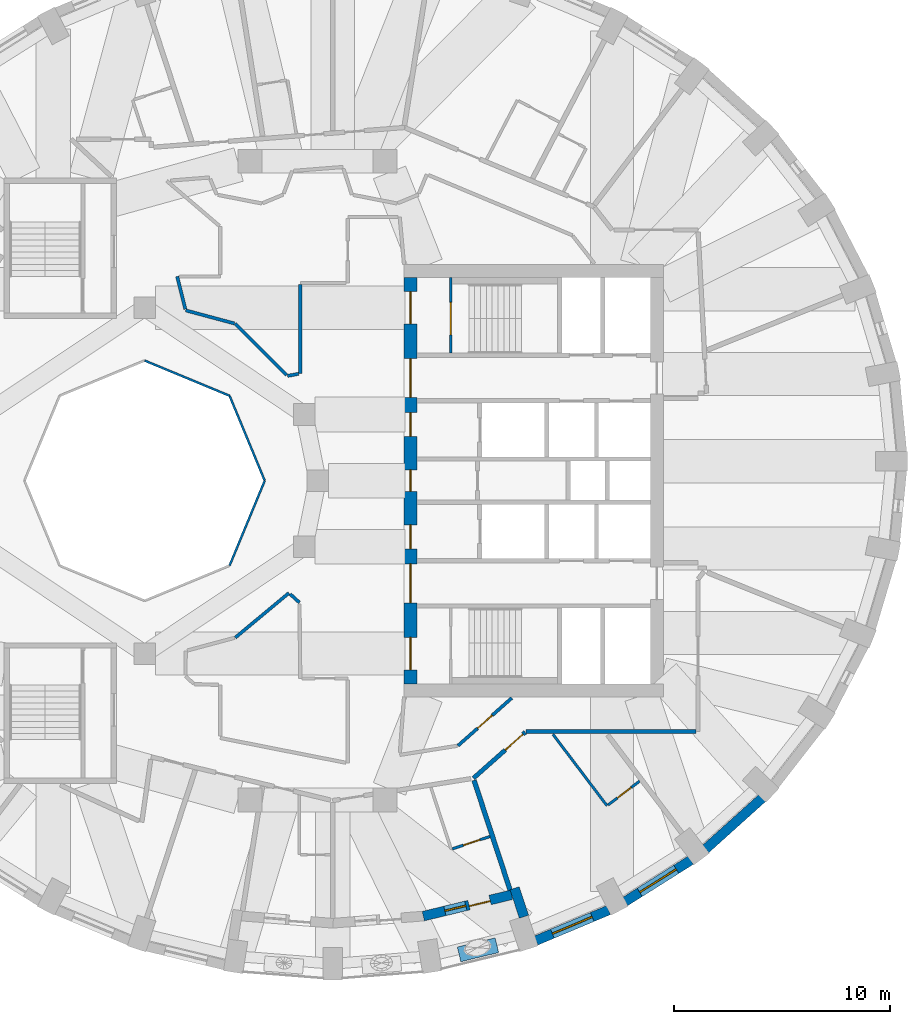
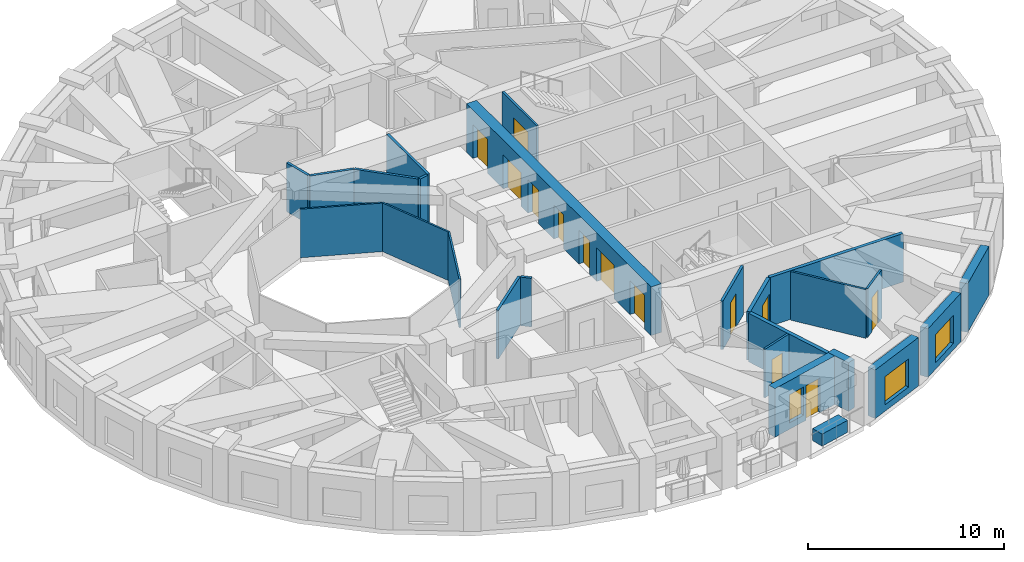
# One storey, part 5 of 12: 25 walls, 13 doors, 3 windows, 16 openings.
"""IFC4 building model written with IfcOpenShell, lengths in metres."""

import ifcopenshell
import ifcopenshell.guid

model = None  # the IFC model being written
_history = None  # IfcOwnerHistory: only IFC2X3 demands one
_inside = {}  # id of a spatial element -> (the spatial element, [elements in it])
_under = {}  # id of a project, library or spatial element -> (it, [spatial elements below it])
_declared = {}  # id of a project -> (the project, [libraries it declares])
_typed = {}  # id of a type object -> (the type object, [elements of that type])
_made_of = {}  # id of a material, layer set ... -> (it, [elements and type objects made of it])


def new_model(schema):
    """Start an empty IFC model of exactly this schema.

    Asked for "IFC4X3", IfcOpenShell would pick the latest addendum, in which some entities
    have other attributes; the version numbers below select the first issue.
    IFC2X3 requires an IfcOwnerHistory on every rooted entity: one is made here for all.
    """
    global model, _history
    if schema == "IFC4X3":
        model = ifcopenshell.file(schema_version=(4, 3, 0, 0))
    else:
        model = ifcopenshell.file(schema=schema)
    _inside.clear()
    _under.clear()
    _declared.clear()
    _typed.clear()
    _made_of.clear()
    _history = None
    if model.schema == "IFC2X3":
        org = make("IfcOrganization", Name="unknown")
        user = make(
            "IfcPersonAndOrganization",
            ThePerson=make("IfcPerson", FamilyName="unknown"),
            TheOrganization=org,
        )
        app = make(
            "IfcApplication",
            ApplicationDeveloper=org,
            Version="unknown",
            ApplicationFullName="unknown",
            ApplicationIdentifier="unknown",
        )
        _history = make(
            "IfcOwnerHistory",
            OwningUser=user,
            OwningApplication=app,
            ChangeAction="ADDED",
            CreationDate=0,
        )
    return model


def make(cls, **values):
    """One entity of the class cls with the attributes given. An attribute that is None is left unset."""
    return model.create_entity(
        cls, **{name: value for name, value in values.items() if value is not None}
    )


def rooted(cls, **values):
    """An entity with a GlobalId (a new one), such as an element, a storey or a relation."""
    return make(cls, GlobalId=ifcopenshell.guid.new(), OwnerHistory=_history, **values)


def si_unit(unit_type, name, prefix=None):
    """IfcSIUnit, for example si_unit("LENGTHUNIT", "METRE", prefix="MILLI")."""
    return make("IfcSIUnit", UnitType=unit_type, Prefix=prefix, Name=name)


def assignment(units):
    """IfcUnitAssignment: the units of a project."""
    return None if units is None else make("IfcUnitAssignment", Units=units)


def point(xyz):
    """IfcCartesianPoint."""
    return None if xyz is None else make("IfcCartesianPoint", Coordinates=xyz)


def direction(xyz):
    """IfcDirection."""
    return None if xyz is None else make("IfcDirection", DirectionRatios=xyz)


def frame(location, z_axis=None, x_axis=None):
    """IfcAxis2Placement3D, a coordinate frame: its origin and axes. An axis left out is left unset."""
    return make(
        "IfcAxis2Placement3D",
        Location=point(location),
        Axis=direction(z_axis),
        RefDirection=direction(x_axis),
    )


def frame_2d(location, x_axis=None):
    """IfcAxis2Placement2D, a coordinate frame in the plane: its origin and x axis."""
    return make(
        "IfcAxis2Placement2D", Location=point(location), RefDirection=direction(x_axis)
    )


def origin():
    """The frame at (0, 0, 0) with its axes left unset."""
    return frame((0.0, 0.0, 0.0))


def place(relative_to, where):
    """IfcLocalPlacement: puts the frame where relative to a parent placement (None: the world)."""
    return make(
        "IfcLocalPlacement", PlacementRelTo=relative_to, RelativePlacement=where
    )


def context(
    kind, dimensions, precision=None, world=None, true_north=None, identifier=None
):
    """IfcGeometricRepresentationContext, for example the 3D "Model" context."""
    return make(
        "IfcGeometricRepresentationContext",
        ContextIdentifier=identifier,
        ContextType=kind,
        CoordinateSpaceDimension=dimensions,
        Precision=precision,
        WorldCoordinateSystem=world,
        TrueNorth=true_north,
    )


def subcontext(parent, identifier, kind, view, scale=None):
    """IfcGeometricRepresentationSubContext, for example "Body" below "Model"."""
    return make(
        "IfcGeometricRepresentationSubContext",
        ContextIdentifier=identifier,
        ContextType=kind,
        ParentContext=parent,
        TargetScale=scale,
        TargetView=view,
    )


def project(units=None, contexts=None):
    """IfcProject with its units and contexts."""
    return rooted(
        "IfcProject",
        Name="project",
        RepresentationContexts=contexts,
        UnitsInContext=assignment(units),
    )


def spatial(cls, under=None, at=None, **own):
    """A site, building, storey or space (cls), placed at a placement, below another one or the project."""
    s = rooted(cls, ObjectPlacement=at, **own)
    if under is not None:
        _under.setdefault(under.id(), (under, []))[1].append(s)
    return s


def profile(cls, at=None, kind="AREA", **sizes):
    """A parametric profile (cls). Its sizes go by their IFC names, for example OverallWidth=200.0."""
    return make(cls, ProfileType=kind, Position=at, **sizes)


def rectangle(**sizes):
    """IfcRectangleProfileDef."""
    return profile("IfcRectangleProfileDef", **sizes)


def extrude(swept, where, along, depth):
    """IfcExtrudedAreaSolid: the profile swept, set in the frame where, extruded along a direction by depth."""
    return make(
        "IfcExtrudedAreaSolid",
        SweptArea=swept,
        Position=where,
        ExtrudedDirection=direction(along),
        Depth=depth,
    )


def shape(context_of_items, identifier, shape_type, items):
    """IfcShapeRepresentation: the items that make up one representation, for example the "Body"."""
    return make(
        "IfcShapeRepresentation",
        ContextOfItems=context_of_items,
        RepresentationIdentifier=identifier,
        RepresentationType=shape_type,
        Items=items,
    )


def material(Name=None, Category=None):
    """IfcMaterial."""
    return make("IfcMaterial", Name=Name, Category=Category)


def layer(
    of_material, thickness, ventilated=None, Name=None, Category=None, Priority=None
):
    """IfcMaterialLayer: one layer of a wall or slab, of a material (None: an air gap)."""
    return make(
        "IfcMaterialLayer",
        Material=of_material,
        LayerThickness=thickness,
        IsVentilated=ventilated,
        Name=Name,
        Category=Category,
        Priority=Priority,
    )


def layer_set(layers, Name=None):
    """IfcMaterialLayerSet."""
    return make("IfcMaterialLayerSet", MaterialLayers=layers, LayerSetName=Name)


def constituent(of_material, Name=None, Category=None, fraction=None):
    """IfcMaterialConstituent: one of the materials an element consists of."""
    return make(
        "IfcMaterialConstituent",
        Name=Name,
        Material=of_material,
        Fraction=fraction,
        Category=Category,
    )


def constituent_set(constituents=None, Name=None):
    """IfcMaterialConstituentSet."""
    return make(
        "IfcMaterialConstituentSet", Name=Name, MaterialConstituents=constituents
    )


def made_of(thing, what):
    """Note that an element or type object is made of a material, layer set ...; save() writes the relation."""
    if what is not None:
        _made_of.setdefault(what.id(), (what, []))[1].append(thing)
    return thing


def type_object(cls, material=None, **own):
    """A type object (cls), such as IfcWallType, which elements share."""
    return made_of(rooted(cls, **own), material)


def element(
    cls,
    number,
    at=None,
    inside=None,
    cuts=None,
    type_object=None,
    material=None,
    context=None,
    identifier="Body",
    shape_type=None,
    held_by="IfcProductDefinitionShape",
    body=None,
    shapes=None,
    **own,
):
    """One element of the class cls, such as IfcWall. Its Tag is "e" and its number.

    at: its placement. inside: the storey or other place that contains it. cuts: it is an
    opening in that element (IfcRelVoidsElement). A single representation is given by context,
    identifier, shape_type and body (its items); several are given by shapes. held_by: the class
    of the entity that holds the representations. save() writes the other relations.
    """
    e = rooted(cls, Tag="e%d" % number, ObjectPlacement=at, **own)
    if body is not None:
        shapes = [shape(context, identifier, shape_type, body)]
    if shapes is not None:
        e.Representation = make(held_by, Representations=shapes)
    if inside is not None:
        _inside.setdefault(inside.id(), (inside, []))[1].append(e)
    if cuts is not None:
        rooted(
            "IfcRelVoidsElement", RelatingBuildingElement=cuts, RelatedOpeningElement=e
        )
    if type_object is not None:
        _typed.setdefault(type_object.id(), (type_object, []))[1].append(e)
    return made_of(e, material)


def fill(opening, filler):
    """IfcRelFillsElement: the door or window that sits in an opening."""
    return rooted(
        "IfcRelFillsElement",
        RelatingOpeningElement=opening,
        RelatedBuildingElement=filler,
    )


def aggregate(whole, parts):
    """IfcRelAggregates: a whole, such as a stair, and the parts it consists of."""
    return rooted("IfcRelAggregates", RelatingObject=whole, RelatedObjects=parts)


def save(model, path):
    """Write the relations noted so far, then the file.

    IfcRelAggregates (storeys below a building ...), IfcRelContainedInSpatialStructure (elements
    in a storey), IfcRelDefinesByType, IfcRelAssociatesMaterial and IfcRelDeclares: one each for
    every whole, place, type object, material and project.
    """
    for whole, parts in _under.values():
        aggregate(whole, parts)
    for where, things in _inside.values():
        rooted(
            "IfcRelContainedInSpatialStructure",
            RelatedElements=things,
            RelatingStructure=where,
        )
    for kind, things in _typed.values():
        rooted("IfcRelDefinesByType", RelatedObjects=things, RelatingType=kind)
    for what, things in _made_of.values():
        rooted("IfcRelAssociatesMaterial", RelatedObjects=things, RelatingMaterial=what)
    for by, libraries in _declared.values():
        rooted("IfcRelDeclares", RelatingContext=by, RelatedDefinitions=libraries)
    model.write(path)


model = new_model("IFC4")

# Units and contexts
model_context = context("Model", 3, precision=1e-05, world=origin(), true_north=direction((0.0, 1.0)))
body_context = subcontext(model_context, "Body", "Model", "MODEL_VIEW")
ifc_project = project(units=[si_unit("LENGTHUNIT", "METRE"), si_unit("AREAUNIT", "SQUARE_METRE"), si_unit("VOLUMEUNIT", "CUBIC_METRE"), si_unit("PLANEANGLEUNIT", "RADIAN"), si_unit("MASSUNIT", "GRAM", prefix="KILO")], contexts=[model_context])

# Site, building, storey
site_placement = place(None, origin())
site = spatial("IfcSite", under=ifc_project, at=site_placement, CompositionType="ELEMENT")
building_placement = place(site_placement, origin())
building = spatial("IfcBuilding", under=site, at=building_placement, Name="Taillehof Tower", CompositionType="ELEMENT")
storey_placement = place(building_placement, frame((0.0, 0.0, 205.699951171875)))
storey = spatial("IfcBuildingStorey", under=building, at=storey_placement, Name="L58", CompositionType="ELEMENT", Elevation=205.699951171875)

# Walls
ifc_material_1 = material(Name="Fire-resisting glass in steel frame", Category="steel")
ifc_layer_1 = layer(ifc_material_1, 0.10009765625)
ifc_layer_set_1 = layer_set([ifc_layer_1], Name="Atrium fire-resisting screen EI 60 100")
wall_type_1 = type_object("IfcWallType", Name="Atrium fire-resisting screen EI 60 100", PredefinedType="PARTITIONING", material=ifc_layer_set_1)
for number, where, z_axis, x_axis, name in (
    (1, (-2.44580078125, 0.0, 0.0), (0.0, 0.0, 1.0), (-0.382730523909, -0.923860025149, 0.0), "Atrium screen"),
    (2, (-8.0, 5.55419921875, 0.0), (0.0, 0.0, 1.0), (0.923860025149, -0.382730523909, 0.0), "Atrium screen"),
    (3, (-4.07275390625, 3.92724609375, 0.0), (0.0, 0.0, 1.0), (0.382730523909, -0.923860025149, 0.0), "Atrium screen"),
):
    element("IfcWall", number, at=place(storey_placement, frame(where, z_axis=z_axis, x_axis=x_axis)), inside=storey, type_object=wall_type_1, Name=name, PredefinedType="PARTITIONING", context=body_context, shape_type="SweptSolid", body=[
        extrude(rectangle(XDim=4.2509765625, YDim=0.10009765625, at=frame_2d((2.12548828125, 0.0))), origin(), (0.0, 0.0, 1.0), 3.02001953125),
    ])

# Wall, opening, window
ifc_material_2 = material(Name="Brick masonry", Category="masonry")
ifc_layer_2 = layer(ifc_material_2, 0.449951171875)
ifc_layer_set_2 = layer_set([ifc_layer_2], Name="Brick infill wall 450")
wall_type_2 = type_object("IfcWallType", Name="Brick infill wall 450", PredefinedType="SOLIDWALL", material=ifc_layer_set_2)
wall_1_placement = place(storey_placement, frame((10.1025390625, -21.279052734375, 0.0), z_axis=(0.0, 0.0, 1.0), x_axis=(0.922168222612, 0.386789050006, 0.0)))
wall_1 = element("IfcWall", 4, at=wall_1_placement, inside=storey, type_object=wall_type_2, Name="Brick wall L58 bay 30", PredefinedType="SOLIDWALL", context=body_context, shape_type="SweptSolid", body=[
    extrude(rectangle(XDim=3.65087890625, YDim=0.449951171875, at=frame_2d((1.825439453125, 0.0))), origin(), (0.0, 0.0, 1.0), 3.02001953125),
])
opening_1_placement = place(wall_1_placement, frame((0.825439453125, 0.0, 0.39990234375)))
opening_1 = element("IfcOpeningElement", 5, at=opening_1_placement, cuts=wall_1, Name="Opening W2", PredefinedType="OPENING", context=body_context, shape_type="SweptSolid", body=[
    extrude(rectangle(XDim=2.0, YDim=1.75, at=frame_2d((1.0, 0.875))), frame((0.0, 0.23486328125, 0.0), z_axis=(0.0, -1.0, 0.0), x_axis=(1.0, 0.0, 0.0)), (0.0, 0.0, 1.0), 0.469970703125),
])
ifc_material_3 = material(Name="Aluminium window frame with clear double glazing", Category="aluminium")
window_type_1 = type_object("IfcWindowType", Name="Deep-set window 2000x1750", PartitioningType="SINGLE_PANEL", PredefinedType="WINDOW", material=ifc_material_3)
window_1_placement = place(opening_1_placement, origin())
window_1 = element("IfcWindow", 6, at=window_1_placement, inside=storey, type_object=window_type_1, Name="W2", OverallHeight=1.75, OverallWidth=2.0, PartitioningType="SINGLE_PANEL", PredefinedType="WINDOW", context=body_context, shape_type="SweptSolid", body=[
    extrude(rectangle(XDim=2.0, YDim=1.75, at=frame_2d((1.0, 0.875))), frame((0.0, 0.034912109375, 0.0), z_axis=(0.0, -1.0, 0.0), x_axis=(1.0, 0.0, 0.0)), (0.0, 0.0, 1.0), 0.06005859375),
])
fill(opening_1, window_1)

wall_2_placement = place(storey_placement, frame((14.232421875, -19.469970703125, 0.0), z_axis=(0.0, 0.0, 1.0), x_axis=(0.84614984472, 0.532945063098, 0.0)))
wall_2 = element("IfcWall", 7, at=wall_2_placement, inside=storey, type_object=wall_type_2, Name="Brick wall L58 bay 31", PredefinedType="SOLIDWALL", context=body_context, shape_type="SweptSolid", body=[
    extrude(rectangle(XDim=3.58642578125, YDim=0.449951171875, at=frame_2d((1.793212890625, 0.0))), origin(), (0.0, 0.0, 1.0), 3.02001953125),
])
opening_2_placement = place(wall_2_placement, frame((0.79345703125, 0.0, 0.39990234375)))
opening_2 = element("IfcOpeningElement", 8, at=opening_2_placement, cuts=wall_2, Name="Opening W2", PredefinedType="OPENING", context=body_context, shape_type="SweptSolid", body=[
    extrude(rectangle(XDim=2.0, YDim=1.75, at=frame_2d((1.0, 0.875))), frame((0.0, 0.23486328125, 0.0), z_axis=(0.0, -1.0, 0.0), x_axis=(1.0, 0.0, 0.0)), (0.0, 0.0, 1.0), 0.469970703125),
])
window_2_placement = place(opening_2_placement, origin())
window_2 = element("IfcWindow", 9, at=window_2_placement, inside=storey, type_object=window_type_1, Name="W2", OverallHeight=1.75, OverallWidth=2.0, PartitioningType="SINGLE_PANEL", PredefinedType="WINDOW", context=body_context, shape_type="SweptSolid", body=[
    extrude(rectangle(XDim=2.0, YDim=1.75, at=frame_2d((1.0, 0.875))), frame((0.0, 0.034912109375, 0.0), z_axis=(0.0, -1.0, 0.0), x_axis=(1.0, 0.0, 0.0)), (0.0, 0.0, 1.0), 0.06005859375),
])
fill(opening_2, window_2)

# Walls
wall_3_placement = place(storey_placement, frame((17.953369140625, -17.039794921875, 0.0), z_axis=(0.0, 0.0, 1.0), x_axis=(0.743442727602, 0.668799604348, 0.0)))
element("IfcWall", 10, at=wall_3_placement, inside=storey, type_object=wall_type_2, Name="Brick wall L58 bay 32", PredefinedType="SOLIDWALL", context=body_context, shape_type="SweptSolid", body=[
    extrude(rectangle(XDim=3.5126953125, YDim=0.449951171875, at=frame_2d((1.75634765625, 0.0))), origin(), (0.0, 0.0, 1.0), 3.02001953125),
])
wall_4_placement = place(storey_placement, frame((9.5498046875, -20.1767578125, 0.0), z_axis=(0.0, 0.0, 1.0), x_axis=(-0.31201065878, 0.950078601384, 0.0)))
element("IfcWall", 11, at=wall_4_placement, inside=storey, type_object=wall_type_2, Name="Brick reveal L58 pocket 8", PredefinedType="SOLIDWALL", context=body_context, shape_type="SweptSolid", body=[
    extrude(rectangle(XDim=1.390380859375, YDim=0.449951171875, at=frame_2d((0.6953125, 0.0))), origin(), (0.0, 0.0, 1.0), 3.02001953125),
])

# Wall, openings, door, window
wall_5_placement = place(storey_placement, frame((4.88916015625, -20.146484375, 0.0), z_axis=(0.0, 0.0, 1.0), x_axis=(0.972004107579, 0.234963858602, 0.0)))
wall_5 = element("IfcWall", 12, at=wall_5_placement, inside=storey, type_object=wall_type_2, Name="Brick wall L58 pocket bay 29", PredefinedType="SOLIDWALL", context=body_context, shape_type="SweptSolid", body=[
    extrude(rectangle(XDim=4.20703125, YDim=0.449951171875, at=frame_2d((2.103515625, 0.0))), origin(), (0.0, 0.0, 1.0), 3.02001953125),
])
opening_3_placement = place(wall_5_placement, frame((1.028564453125, 0.0, 0.39990234375)))
opening_3 = element("IfcOpeningElement", 13, at=opening_3_placement, cuts=wall_5, Name="Opening W5", PredefinedType="OPENING", context=body_context, shape_type="SweptSolid", body=[
    extrude(rectangle(XDim=1.0, YDim=1.75, at=frame_2d((0.5, 0.875))), frame((0.0, 0.23486328125, 0.0), z_axis=(0.0, -1.0, 0.0), x_axis=(1.0, 0.0, 0.0)), (0.0, 0.0, 1.0), 0.469970703125),
])
opening_4_placement = place(wall_5_placement, frame((2.1787109375, 0.0, 0.0)))
opening_4 = element("IfcOpeningElement", 14, at=opening_4_placement, cuts=wall_5, Name="Opening D5896", PredefinedType="OPENING", context=body_context, shape_type="SweptSolid", body=[
    extrude(rectangle(XDim=1.0, YDim=2.14990234375, at=frame_2d((0.5, 1.074951171875))), frame((0.0, 0.23486328125, 0.0), z_axis=(0.0, -1.0, 0.0), x_axis=(1.0, 0.0, 0.0)), (0.0, 0.0, 1.0), 0.469970703125),
])
ifc_material_4 = material(Name="Aluminium door frame with clear double glazing", Category="aluminium")
door_type_1 = type_object("IfcDoorType", Name="Balcony door 1000x2150", OperationType="SINGLE_SWING_RIGHT", PredefinedType="DOOR", material=ifc_material_4)
door_1_placement = place(opening_4_placement, frame((1.0, 0.0, 0.0), z_axis=(0.0, 0.0, 1.0), x_axis=(-1.0, 0.0, 0.0)))
door_1 = element("IfcDoor", 15, at=door_1_placement, inside=storey, type_object=door_type_1, Name="Balcony door L58 bay 29", OperationType="SINGLE_SWING_LEFT", OverallHeight=2.14990234375, OverallWidth=1.0, PredefinedType="DOOR", context=body_context, shape_type="SweptSolid", body=[
    extrude(rectangle(XDim=1.0, YDim=2.14990234375, at=frame_2d((0.5, 1.074951171875))), frame((0.0, 0.0751953125, 0.0), z_axis=(0.0, -1.0, 0.0), x_axis=(1.0, 0.0, 0.0)), (0.0, 0.0, 1.0), 0.050048828125),
])
fill(opening_4, door_1)
ifc_material_5 = material(Name="Aluminium window frame with clear double glazing", Category="aluminium")
window_type_2 = type_object("IfcWindowType", Name="Fixed window 1000x1750", PartitioningType="SINGLE_PANEL", PredefinedType="WINDOW", material=ifc_material_5)
window_3_placement = place(opening_3_placement, origin())
window_3 = element("IfcWindow", 16, at=window_3_placement, inside=storey, type_object=window_type_2, Name="W5", OverallHeight=1.75, OverallWidth=1.0, PartitioningType="SINGLE_PANEL", PredefinedType="WINDOW", context=body_context, shape_type="SweptSolid", body=[
    extrude(rectangle(XDim=1.0, YDim=1.75, at=frame_2d((0.5, 0.875))), frame((0.0, 0.034912109375, 0.0), z_axis=(0.0, -1.0, 0.0), x_axis=(1.0, 0.0, 0.0)), (0.0, 0.0, 1.0), 0.06005859375),
])
fill(opening_3, window_3)

# Wall
ifc_material_6 = material(Name="Gypsum board on steel studs, two layers each side", Category="steel")
ifc_layer_3 = layer(ifc_material_6, 0.199951171875)
ifc_layer_set_3 = layer_set([ifc_layer_3], Name="Compartment wall corridor 200")
wall_type_3 = type_object("IfcWallType", Name="Compartment wall corridor 200", PredefinedType="PARTITIONING", material=ifc_layer_set_3)
wall_6_placement = place(storey_placement, frame((17.5, -11.60009765625, 0.0), z_axis=(0.0, 0.0, 1.0), x_axis=(-1.0, 0.0, 0.0)))
element("IfcWall", 17, at=wall_6_placement, inside=storey, type_object=wall_type_3, Name="Compartment wall", PredefinedType="PARTITIONING", context=body_context, shape_type="SweptSolid", body=[
    extrude(rectangle(XDim=7.846923828125, YDim=0.199951171875, at=frame_2d((3.92333984375, 0.0))), origin(), (0.0, 0.0, 1.0), 3.02001953125),
])

# Wall, opening, door
wall_7_placement = place(storey_placement, frame((9.6083984375, -11.6396484375, 0.0), z_axis=(0.0, 0.0, 1.0), x_axis=(-0.748412200225, -0.663233879227, 0.0)))
wall_7 = element("IfcWall", 18, at=wall_7_placement, inside=storey, type_object=wall_type_3, Name="Compartment wall", PredefinedType="PARTITIONING", context=body_context, shape_type="SweptSolid", body=[
    extrude(rectangle(XDim=3.207275390625, YDim=0.199951171875, at=frame_2d((1.603515625, 0.0))), origin(), (0.0, 0.0, 1.0), 3.02001953125),
])
opening_5_placement = place(wall_7_placement, frame((0.139892578125, 0.0, 0.0)))
opening_5 = element("IfcOpeningElement", 19, at=opening_5_placement, cuts=wall_7, Name="Opening D5861", PredefinedType="OPENING", context=body_context, shape_type="SweptSolid", body=[
    extrude(rectangle(XDim=1.10009765625, YDim=2.10009765625, at=frame_2d((0.550048828125, 1.050048828125))), frame((0.0, 0.10986328125, 0.0), z_axis=(0.0, -1.0, 0.0), x_axis=(1.0, 0.0, 0.0)), (0.0, 0.0, 1.0), 0.219970703125),
])
ifc_material_7 = material(Name="Timber door leaf in steel frame", Category="steel")
door_type_2 = type_object("IfcDoorType", Name="Suite entrance door EI 30 1100 x 2100", OperationType="SINGLE_SWING_LEFT", PredefinedType="DOOR", material=ifc_material_7)
door_2_placement = place(opening_5_placement, origin())
door_2 = element("IfcDoor", 20, at=door_2_placement, inside=storey, type_object=door_type_2, Name="D5861", OperationType="SINGLE_SWING_LEFT", OverallHeight=2.10009765625, OverallWidth=1.10009765625, PredefinedType="DOOR", context=body_context, shape_type="SweptSolid", body=[
    extrude(rectangle(XDim=1.10009765625, YDim=2.10009765625, at=frame_2d((0.550048828125, 1.050048828125))), frame((0.0, 0.02490234375, 0.0), z_axis=(0.0, -1.0, 0.0), x_axis=(1.0, 0.0, 0.0)), (0.0, 0.0, 1.0), 0.050048828125),
])
fill(opening_5, door_2)

# Walls
ifc_material_8 = material(Name="Gypsum board on double steel studs with mineral wool", Category="steel")
ifc_layer_4 = layer(ifc_material_8, 0.219970703125)
ifc_layer_set_4 = layer_set([ifc_layer_4], Name="Compartment wall guest room 220")
wall_type_4 = type_object("IfcWallType", Name="Compartment wall guest room 220", PredefinedType="PARTITIONING", material=ifc_layer_set_4)
wall_8_placement = place(storey_placement, frame((8.907958984375, -18.943603515625, 0.0), z_axis=(0.0, 0.0, 1.0), x_axis=(-0.311910788491, 0.950111393481, 0.0)))
element("IfcWall", 21, at=wall_8_placement, inside=storey, type_object=wall_type_4, Name="Compartment wall", PredefinedType="PARTITIONING", context=body_context, shape_type="SweptSolid", body=[
    extrude(rectangle(XDim=5.348388671875, YDim=0.219970703125, at=frame_2d((2.67431640625, 0.0))), origin(), (0.0, 0.0, 1.0), 3.02001953125),
])
ifc_material_9 = material(Name="Gypsum board on steel studs, two layers each side", Category="steel")
ifc_layer_5 = layer(ifc_material_9, 0.14990234375)
ifc_layer_set_5 = layer_set([ifc_layer_5], Name="Compartment wall service room 150")
wall_type_5 = type_object("IfcWallType", Name="Compartment wall service room 150", PredefinedType="PARTITIONING", material=ifc_layer_set_5)
wall_9_placement = place(storey_placement, frame((-0.800048828125, 9.06982421875, 0.0), z_axis=(0.0, 0.0, 1.0), x_axis=(0.0, -1.0, 0.0)))
element("IfcWall", 22, at=wall_9_placement, inside=storey, type_object=wall_type_5, Name="Compartment wall", PredefinedType="PARTITIONING", context=body_context, shape_type="SweptSolid", body=[
    extrude(rectangle(XDim=4.1083984375, YDim=0.14990234375, at=frame_2d((2.05419921875, 0.0))), origin(), (0.0, 0.0, 1.0), 3.02001953125),
])
wall_10_placement = place(storey_placement, frame((-0.878173828125, 4.94580078125, 0.0), z_axis=(0.0, 0.0, 1.0), x_axis=(-0.981223514921, -0.192874087857, 0.0)))
element("IfcWall", 23, at=wall_10_placement, inside=storey, type_object=wall_type_5, Name="Compartment wall", PredefinedType="PARTITIONING", context=body_context, shape_type="SweptSolid", body=[
    extrude(rectangle(XDim=0.521484375, YDim=0.14990234375, at=frame_2d((0.2607421875, 0.0))), origin(), (0.0, 0.0, 1.0), 3.02001953125),
])
wall_11_placement = place(storey_placement, frame((-1.432373046875, 4.8876953125, 0.0), z_axis=(0.0, 0.0, 1.0), x_axis=(-0.70714312975, 0.707070430754, 0.0)))
element("IfcWall", 24, at=wall_11_placement, inside=storey, type_object=wall_type_5, Name="Compartment wall", PredefinedType="PARTITIONING", context=body_context, shape_type="SweptSolid", body=[
    extrude(rectangle(XDim=3.358154296875, YDim=0.14990234375, at=frame_2d((1.67919921875, 0.0))), origin(), (0.0, 0.0, 1.0), 3.02001953125),
])
wall_12_placement = place(storey_placement, frame((-3.845703125, 7.2724609375, 0.0), z_axis=(0.0, 0.0, 1.0), x_axis=(-0.965906023197, 0.258892939941, 0.0)))
element("IfcWall", 25, at=wall_12_placement, inside=storey, type_object=wall_type_5, Name="Compartment wall", PredefinedType="PARTITIONING", context=body_context, shape_type="SweptSolid", body=[
    extrude(rectangle(XDim=2.333984375, YDim=0.14990234375, at=frame_2d((1.1669921875, 0.0))), origin(), (0.0, 0.0, 1.0), 3.02001953125),
])
wall_13_placement = place(storey_placement, frame((-6.11474609375, 7.9345703125, 0.0), z_axis=(0.0, 0.0, 1.0), x_axis=(-0.242425292239, 0.970170076679, 0.0)))
element("IfcWall", 26, at=wall_13_placement, inside=storey, type_object=wall_type_5, Name="Compartment wall", PredefinedType="PARTITIONING", context=body_context, shape_type="SweptSolid", body=[
    extrude(rectangle(XDim=1.56201171875, YDim=0.14990234375, at=frame_2d((0.781005859375, 0.0))), origin(), (0.0, 0.0, 1.0), 3.02001953125),
])
wall_14_placement = place(storey_placement, frame((-3.80712890625, -7.26220703125, 0.0), z_axis=(0.0, 0.0, 1.0), x_axis=(0.768654933145, 0.639663656739, 0.0)))
element("IfcWall", 27, at=wall_14_placement, inside=storey, type_object=wall_type_5, Name="Compartment wall", PredefinedType="PARTITIONING", context=body_context, shape_type="SweptSolid", body=[
    extrude(rectangle(XDim=3.22900390625, YDim=0.14990234375, at=frame_2d((1.614501953125, 0.0))), origin(), (0.0, 0.0, 1.0), 3.02001953125),
])
wall_15_placement = place(storey_placement, frame((-1.265625, -5.25048828125, 0.0), z_axis=(0.0, 0.0, 1.0), x_axis=(0.740704364941, -0.671831112525, 0.0)))
element("IfcWall", 28, at=wall_15_placement, inside=storey, type_object=wall_type_5, Name="Compartment wall", PredefinedType="PARTITIONING", context=body_context, shape_type="SweptSolid", body=[
    extrude(rectangle(XDim=0.577880859375, YDim=0.14990234375, at=frame_2d((0.2890625, 0.0))), origin(), (0.0, 0.0, 1.0), 3.02001953125),
])

# Wall, opening, door
wall_16_placement = place(storey_placement, frame((8.98681640625, -10.052490234375, 0.0), z_axis=(0.0, 0.0, 1.0), x_axis=(-0.74833949077, -0.66331591761, 0.0)))
wall_16 = element("IfcWall", 29, at=wall_16_placement, inside=storey, type_object=wall_type_5, Name="Compartment wall", PredefinedType="PARTITIONING", context=body_context, shape_type="SweptSolid", body=[
    extrude(rectangle(XDim=3.328125, YDim=0.14990234375, at=frame_2d((1.6640625, 0.0))), origin(), (0.0, 0.0, 1.0), 3.02001953125),
])
opening_6_placement = place(wall_16_placement, frame((1.214111328125, 0.0, 0.0)))
opening_6 = element("IfcOpeningElement", 30, at=opening_6_placement, cuts=wall_16, Name="Opening D5868", PredefinedType="OPENING", context=body_context, shape_type="SweptSolid", body=[
    extrude(rectangle(XDim=0.89990234375, YDim=2.10009765625, at=frame_2d((0.449951171875, 1.050048828125))), frame((0.0, 0.0849609375, 0.0), z_axis=(0.0, -1.0, 0.0), x_axis=(1.0, 0.0, 0.0)), (0.0, 0.0, 1.0), 0.169921875),
])
ifc_material_10 = material(Name="Timber door leaf in steel frame", Category="steel")
door_type_3 = type_object("IfcDoorType", Name="Service room door EI 30 900 x 2100", OperationType="SINGLE_SWING_LEFT", PredefinedType="DOOR", material=ifc_material_10)
door_3_placement = place(opening_6_placement, origin())
door_3 = element("IfcDoor", 31, at=door_3_placement, inside=storey, type_object=door_type_3, Name="D5868", OperationType="SINGLE_SWING_LEFT", OverallHeight=2.10009765625, OverallWidth=0.89990234375, PredefinedType="DOOR", context=body_context, shape_type="SweptSolid", body=[
    extrude(rectangle(XDim=0.89990234375, YDim=2.10009765625, at=frame_2d((0.449951171875, 1.050048828125))), frame((0.0, 0.02490234375, 0.0), z_axis=(0.0, -1.0, 0.0), x_axis=(1.0, 0.0, 0.0)), (0.0, 0.0, 1.0), 0.050048828125),
])
fill(opening_6, door_3)

# Wall, openings, doors
ifc_material_11 = material(Name="Concrete C80/95", Category="concrete")
ifc_layer_6 = layer(ifc_material_11, 0.60009765625)
ifc_layer_set_6 = layer_set([ifc_layer_6], Name="Core wall C80/95 600")
wall_type_6 = type_object("IfcWallType", Name="Core wall C80/95 600", PredefinedType="SHEAR", material=ifc_layer_set_6)
wall_17_placement = place(storey_placement, frame((4.300048828125, -9.39990234375, 0.0), z_axis=(0.0, 0.0, 1.0), x_axis=(0.0, 1.0, 0.0)))
wall_17 = element("IfcWall", 32, at=wall_17_placement, inside=storey, type_object=wall_type_6, Name="Core wall CW01", PredefinedType="SHEAR", context=body_context, shape_type="SweptSolid", body=[
    extrude(rectangle(XDim=18.7998046875, YDim=0.60009765625, at=frame_2d((9.39990234375, 0.0))), origin(), (0.0, 0.0, 1.0), 3.02001953125),
])
opening_7_placement = place(wall_17_placement, frame((0.64990234375, 0.0, 0.0)))
opening_7 = element("IfcOpeningElement", 33, at=opening_7_placement, cuts=wall_17, Name="Opening D5801", PredefinedType="OPENING", context=body_context, shape_type="SweptSolid", body=[
    extrude(rectangle(XDim=1.5, YDim=2.10009765625, at=frame_2d((0.75, 1.050048828125))), frame((0.0, 0.31005859375, 0.0), z_axis=(0.0, -1.0, 0.0), x_axis=(1.0, 0.0, 0.0)), (0.0, 0.0, 1.0), 0.6201171875),
])
opening_8_placement = place(wall_17_placement, frame((3.75, 0.0, 0.0)))
opening_8 = element("IfcOpeningElement", 34, at=opening_8_placement, cuts=wall_17, Name="Opening D5802", PredefinedType="OPENING", context=body_context, shape_type="SweptSolid", body=[
    extrude(rectangle(XDim=1.800048828125, YDim=2.10009765625, at=frame_2d((0.89990234375, 1.050048828125))), frame((0.0, 0.31005859375, 0.0), z_axis=(0.0, -1.0, 0.0), x_axis=(1.0, 0.0, 0.0)), (0.0, 0.0, 1.0), 0.6201171875),
])
opening_9_placement = place(wall_17_placement, frame((6.25, 0.0, 0.0)))
opening_9 = element("IfcOpeningElement", 35, at=opening_9_placement, cuts=wall_17, Name="Opening D5803", PredefinedType="OPENING", context=body_context, shape_type="SweptSolid", body=[
    extrude(rectangle(XDim=1.10009765625, YDim=2.10009765625, at=frame_2d((0.550048828125, 1.050048828125))), frame((0.0, 0.31005859375, 0.0), z_axis=(0.0, -1.0, 0.0), x_axis=(1.0, 0.0, 0.0)), (0.0, 0.0, 1.0), 0.6201171875),
])
opening_10_placement = place(wall_17_placement, frame((8.89990234375, 0.0, 0.0)))
opening_10 = element("IfcOpeningElement", 36, at=opening_10_placement, cuts=wall_17, Name="Opening D5804", PredefinedType="OPENING", context=body_context, shape_type="SweptSolid", body=[
    extrude(rectangle(XDim=1.0, YDim=2.10009765625, at=frame_2d((0.5, 1.050048828125))), frame((0.0, 0.31005859375, 0.0), z_axis=(0.0, -1.0, 0.0), x_axis=(1.0, 0.0, 0.0)), (0.0, 0.0, 1.0), 0.6201171875),
])
opening_11_placement = place(wall_17_placement, frame((11.449951171875, 0.0, 0.0)))
opening_11 = element("IfcOpeningElement", 37, at=opening_11_placement, cuts=wall_17, Name="Opening D5805", PredefinedType="OPENING", context=body_context, shape_type="SweptSolid", body=[
    extrude(rectangle(XDim=1.10009765625, YDim=2.10009765625, at=frame_2d((0.550048828125, 1.050048828125))), frame((0.0, 0.31005859375, 0.0), z_axis=(0.0, -1.0, 0.0), x_axis=(1.0, 0.0, 0.0)), (0.0, 0.0, 1.0), 0.6201171875),
])
opening_12_placement = place(wall_17_placement, frame((13.25, 0.0, 0.0)))
opening_12 = element("IfcOpeningElement", 38, at=opening_12_placement, cuts=wall_17, Name="Opening D5806", PredefinedType="OPENING", context=body_context, shape_type="SweptSolid", body=[
    extrude(rectangle(XDim=1.800048828125, YDim=2.10009765625, at=frame_2d((0.89990234375, 1.050048828125))), frame((0.0, 0.31005859375, 0.0), z_axis=(0.0, -1.0, 0.0), x_axis=(1.0, 0.0, 0.0)), (0.0, 0.0, 1.0), 0.6201171875),
])
opening_13_placement = place(wall_17_placement, frame((16.64990234375, 0.0, 0.0)))
opening_13 = element("IfcOpeningElement", 39, at=opening_13_placement, cuts=wall_17, Name="Opening D5807", PredefinedType="OPENING", context=body_context, shape_type="SweptSolid", body=[
    extrude(rectangle(XDim=1.5, YDim=2.10009765625, at=frame_2d((0.75, 1.050048828125))), frame((0.0, 0.31005859375, 0.0), z_axis=(0.0, -1.0, 0.0), x_axis=(1.0, 0.0, 0.0)), (0.0, 0.0, 1.0), 0.6201171875),
])
ifc_material_12 = material(Name="Steel-faced fire door", Category="steel")
door_type_4 = type_object("IfcDoorType", Name="Firefighting lobby door 1100x2100", OperationType="SINGLE_SWING_RIGHT", PredefinedType="DOOR", material=ifc_material_12)
door_4_placement = place(opening_9_placement, origin())
door_4 = element("IfcDoor", 40, at=door_4_placement, inside=storey, type_object=door_type_4, Name="Firefighting lobby door FFL-S", OperationType="SINGLE_SWING_RIGHT", OverallHeight=2.10009765625, OverallWidth=1.10009765625, PredefinedType="DOOR", context=body_context, shape_type="SweptSolid", body=[
    extrude(rectangle(XDim=1.10009765625, YDim=2.10009765625, at=frame_2d((0.550048828125, 1.050048828125))), frame((0.0, 0.02490234375, 0.0), z_axis=(0.0, -1.0, 0.0), x_axis=(1.0, 0.0, 0.0)), (0.0, 0.0, 1.0), 0.050048828125),
])
fill(opening_9, door_4)
door_5_placement = place(opening_11_placement, origin())
door_5 = element("IfcDoor", 41, at=door_5_placement, inside=storey, type_object=door_type_4, Name="Firefighting lobby door FFL-N", OperationType="SINGLE_SWING_LEFT", OverallHeight=2.10009765625, OverallWidth=1.10009765625, PredefinedType="DOOR", context=body_context, shape_type="SweptSolid", body=[
    extrude(rectangle(XDim=1.10009765625, YDim=2.10009765625, at=frame_2d((0.550048828125, 1.050048828125))), frame((0.0, 0.02490234375, 0.0), z_axis=(0.0, -1.0, 0.0), x_axis=(1.0, 0.0, 0.0)), (0.0, 0.0, 1.0), 0.050048828125),
])
fill(opening_11, door_5)
ifc_material_13 = material(Name="Steel-faced fire door", Category="steel")
door_type_5 = type_object("IfcDoorType", Name="Lift lobby door 1800x2100", OperationType="DOUBLE_DOOR_SINGLE_SWING", PredefinedType="DOOR", material=ifc_material_13)
door_6_placement = place(opening_8_placement, origin())
door_6 = element("IfcDoor", 42, at=door_6_placement, inside=storey, type_object=door_type_5, Name="Lift lobby door LL-S", OperationType="DOUBLE_DOOR_SINGLE_SWING", OverallHeight=2.10009765625, OverallWidth=1.800048828125, PredefinedType="DOOR", context=body_context, shape_type="SweptSolid", body=[
    extrude(rectangle(XDim=1.800048828125, YDim=2.10009765625, at=frame_2d((0.89990234375, 1.050048828125))), frame((0.0, 0.02490234375, 0.0), z_axis=(0.0, -1.0, 0.0), x_axis=(1.0, 0.0, 0.0)), (0.0, 0.0, 1.0), 0.050048828125),
])
fill(opening_8, door_6)
door_7_placement = place(opening_12_placement, origin())
door_7 = element("IfcDoor", 43, at=door_7_placement, inside=storey, type_object=door_type_5, Name="Lift lobby door LL-N", OperationType="DOUBLE_DOOR_SINGLE_SWING", OverallHeight=2.10009765625, OverallWidth=1.800048828125, PredefinedType="DOOR", context=body_context, shape_type="SweptSolid", body=[
    extrude(rectangle(XDim=1.800048828125, YDim=2.10009765625, at=frame_2d((0.89990234375, 1.050048828125))), frame((0.0, 0.02490234375, 0.0), z_axis=(0.0, -1.0, 0.0), x_axis=(1.0, 0.0, 0.0)), (0.0, 0.0, 1.0), 0.050048828125),
])
fill(opening_12, door_7)
ifc_material_14 = material(Name="Steel-faced fire door", Category="steel")
door_type_6 = type_object("IfcDoorType", Name="Service door 1000x2100", OperationType="SINGLE_SWING_RIGHT", PredefinedType="DOOR", material=ifc_material_14)
door_8_placement = place(opening_10_placement, origin())
door_8 = element("IfcDoor", 44, at=door_8_placement, inside=storey, type_object=door_type_6, Name="Service door SV", OperationType="SINGLE_SWING_LEFT", OverallHeight=2.10009765625, OverallWidth=1.0, PredefinedType="DOOR", context=body_context, shape_type="SweptSolid", body=[
    extrude(rectangle(XDim=1.0, YDim=2.10009765625, at=frame_2d((0.5, 1.050048828125))), frame((0.0, 0.02490234375, 0.0), z_axis=(0.0, -1.0, 0.0), x_axis=(1.0, 0.0, 0.0)), (0.0, 0.0, 1.0), 0.050048828125),
])
fill(opening_10, door_8)
ifc_material_15 = material(Name="Steel-faced fire door", Category="steel")
door_type_7 = type_object("IfcDoorType", Name="Stair door 1500x2100", OperationType="DOUBLE_DOOR_SINGLE_SWING", PredefinedType="DOOR", material=ifc_material_15)
door_9_placement = place(opening_7_placement, origin())
door_9 = element("IfcDoor", 45, at=door_9_placement, inside=storey, type_object=door_type_7, Name="Stair door S2", OperationType="DOUBLE_DOOR_SINGLE_SWING", OverallHeight=2.10009765625, OverallWidth=1.5, PredefinedType="DOOR", context=body_context, shape_type="SweptSolid", body=[
    extrude(rectangle(XDim=1.5, YDim=2.10009765625, at=frame_2d((0.75, 1.050048828125))), frame((0.0, 0.02490234375, 0.0), z_axis=(0.0, -1.0, 0.0), x_axis=(1.0, 0.0, 0.0)), (0.0, 0.0, 1.0), 0.050048828125),
])
fill(opening_7, door_9)
door_10_placement = place(opening_13_placement, origin())
door_10 = element("IfcDoor", 46, at=door_10_placement, inside=storey, type_object=door_type_7, Name="Stair door S1", OperationType="DOUBLE_DOOR_SINGLE_SWING", OverallHeight=2.10009765625, OverallWidth=1.5, PredefinedType="DOOR", context=body_context, shape_type="SweptSolid", body=[
    extrude(rectangle(XDim=1.5, YDim=2.10009765625, at=frame_2d((0.75, 1.050048828125))), frame((0.0, 0.02490234375, 0.0), z_axis=(0.0, -1.0, 0.0), x_axis=(1.0, 0.0, 0.0)), (0.0, 0.0, 1.0), 0.050048828125),
])
fill(opening_13, door_10)

# Wall
ifc_material_16 = material(Name="Gypsum board on steel studs, moisture resistant", Category="steel")
ifc_layer_7 = layer(ifc_material_16, 0.1201171875)
ifc_layer_set_7 = layer_set([ifc_layer_7], Name="En-suite wall 120")
wall_type_7 = type_object("IfcWallType", Name="En-suite wall 120", PredefinedType="PARTITIONING", material=ifc_layer_set_7)
wall_18_placement = place(storey_placement, frame((10.88671875, -11.73193359375, 0.0), z_axis=(0.0, 0.0, 1.0), x_axis=(0.603646932038, -0.797251767913, 0.0)))
element("IfcWall", 47, at=wall_18_placement, inside=storey, type_object=wall_type_7, Name="En-suite wall", PredefinedType="PARTITIONING", context=body_context, shape_type="SweptSolid", body=[
    extrude(rectangle(XDim=4.148681640625, YDim=0.1201171875, at=frame_2d((2.07421875, 0.0))), origin(), (0.0, 0.0, 1.0), 3.02001953125),
])

# Wall, opening, door
wall_19_placement = place(storey_placement, frame((6.23876953125, -17.0322265625, 0.0), z_axis=(0.0, 0.0, 1.0), x_axis=(0.950127811882, 0.311860771962, 0.0)))
wall_19 = element("IfcWall", 48, at=wall_19_placement, inside=storey, type_object=wall_type_7, Name="En-suite wall", PredefinedType="PARTITIONING", context=body_context, shape_type="SweptSolid", body=[
    extrude(rectangle(XDim=1.82958984375, YDim=0.1201171875, at=frame_2d((0.914794921875, 0.0))), origin(), (0.0, 0.0, 1.0), 3.02001953125),
])
opening_14_placement = place(wall_19_placement, frame((0.539794921875, 0.0, 0.0)))
opening_14 = element("IfcOpeningElement", 49, at=opening_14_placement, cuts=wall_19, Name="Opening D5860", PredefinedType="OPENING", context=body_context, shape_type="SweptSolid", body=[
    extrude(rectangle(XDim=0.800048828125, YDim=2.10009765625, at=frame_2d((0.39990234375, 1.050048828125))), frame((0.0, 0.070068359375, 0.0), z_axis=(0.0, -1.0, 0.0), x_axis=(1.0, 0.0, 0.0)), (0.0, 0.0, 1.0), 0.14013671875),
])
ifc_material_17 = material(Name="Timber door leaf in steel frame", Category="steel")
door_type_8 = type_object("IfcDoorType", Name="En-suite door 800 x 2100", OperationType="SINGLE_SWING_LEFT", PredefinedType="DOOR", material=ifc_material_17)
door_11_placement = place(opening_14_placement, origin())
door_11 = element("IfcDoor", 50, at=door_11_placement, inside=storey, type_object=door_type_8, Name="D5860", OperationType="SINGLE_SWING_RIGHT", OverallHeight=2.10009765625, OverallWidth=0.800048828125, PredefinedType="DOOR", context=body_context, shape_type="SweptSolid", body=[
    extrude(rectangle(XDim=0.800048828125, YDim=2.10009765625, at=frame_2d((0.39990234375, 1.050048828125))), frame((0.0, 0.02490234375, 0.0), z_axis=(0.0, -1.0, 0.0), x_axis=(1.0, 0.0, 0.0)), (0.0, 0.0, 1.0), 0.050048828125),
])
fill(opening_14, door_11)

wall_20_placement = place(storey_placement, frame((13.43896484375, -15.00341796875, 0.0), z_axis=(0.0, 0.0, 1.0), x_axis=(0.797238062708, 0.603665032422, 0.0)))
wall_20 = element("IfcWall", 51, at=wall_20_placement, inside=storey, type_object=wall_type_7, Name="En-suite wall", PredefinedType="PARTITIONING", context=body_context, shape_type="SweptSolid", body=[
    extrude(rectangle(XDim=1.830078125, YDim=0.1201171875, at=frame_2d((0.9150390625, 0.0))), origin(), (0.0, 0.0, 1.0), 3.02001953125),
])
opening_15_placement = place(wall_20_placement, frame((0.5400390625, 0.0, 0.0)))
opening_15 = element("IfcOpeningElement", 52, at=opening_15_placement, cuts=wall_20, Name="Opening D5862", PredefinedType="OPENING", context=body_context, shape_type="SweptSolid", body=[
    extrude(rectangle(XDim=0.800048828125, YDim=2.10009765625, at=frame_2d((0.39990234375, 1.050048828125))), frame((0.0, 0.070068359375, 0.0), z_axis=(0.0, -1.0, 0.0), x_axis=(1.0, 0.0, 0.0)), (0.0, 0.0, 1.0), 0.14013671875),
])
door_12_placement = place(opening_15_placement, origin())
door_12 = element("IfcDoor", 53, at=door_12_placement, inside=storey, type_object=door_type_8, Name="D5862", OperationType="SINGLE_SWING_RIGHT", OverallHeight=2.10009765625, OverallWidth=0.800048828125, PredefinedType="DOOR", context=body_context, shape_type="SweptSolid", body=[
    extrude(rectangle(XDim=0.800048828125, YDim=2.10009765625, at=frame_2d((0.39990234375, 1.050048828125))), frame((0.0, 0.02490234375, 0.0), z_axis=(0.0, -1.0, 0.0), x_axis=(1.0, 0.0, 0.0)), (0.0, 0.0, 1.0), 0.050048828125),
])
fill(opening_15, door_12)

# Wall
ifc_material_18 = material(Name="Concrete C30/37 precast", Category="concrete")
ifc_constituent_1 = constituent(ifc_material_18, Name="Structure", Category="concrete")
ifc_material_19 = material(Name="Insulated lining")
ifc_constituent_2 = constituent(ifc_material_19, Name="Lining")
ifc_constituent_set = constituent_set(constituents=[ifc_constituent_1, ifc_constituent_2], Name="Planter trough 700x750")
wall_type_8 = type_object("IfcWallType", Name="Planter trough 700x750", PredefinedType="USERDEFINED", material=ifc_constituent_set)
wall_21_placement = place(storey_placement, frame((6.54638671875, -21.9140625, 0.0), z_axis=(0.0, 0.0, 1.0), x_axis=(0.97215043642, 0.234357694494, 0.0)))
element("IfcWall", 54, at=wall_21_placement, inside=storey, type_object=wall_type_8, Name="Planter L58 bay 29", ObjectType="PLANTER", PredefinedType="USERDEFINED", context=body_context, shape_type="SweptSolid", body=[
    extrude(rectangle(XDim=1.800048828125, YDim=0.699951171875, at=frame_2d((0.89990234375, 0.0))), origin(), (0.0, 0.0, 1.0), 0.75),
])

# Wall, opening, door
ifc_material_20 = material(Name="Concrete C50/60", Category="concrete")
ifc_layer_8 = layer(ifc_material_20, 0.1201171875)
ifc_layer_set_8 = layer_set([ifc_layer_8], Name="Stair lobby wall C50/60 120")
wall_type_9 = type_object("IfcWallType", Name="Stair lobby wall C50/60 120", PredefinedType="SHEAR", material=ifc_layer_set_8)
wall_22_placement = place(storey_placement, frame((6.159912109375, 5.89990234375, 0.0), z_axis=(0.0, 0.0, 1.0), x_axis=(0.0, 1.0, 0.0)))
wall_22 = element("IfcWall", 55, at=wall_22_placement, inside=storey, type_object=wall_type_9, Name="Compartment wall SW", PredefinedType="SHEAR", context=body_context, shape_type="SweptSolid", body=[
    extrude(rectangle(XDim=3.5, YDim=0.1201171875, at=frame_2d((1.75, 0.0))), origin(), (0.0, 0.0, 1.0), 3.02001953125),
])
opening_16_placement = place(wall_22_placement, frame((0.85009765625, 0.0, 0.0)))
opening_16 = element("IfcOpeningElement", 56, at=opening_16_placement, cuts=wall_22, Name="Opening D5810", PredefinedType="OPENING", context=body_context, shape_type="SweptSolid", body=[
    extrude(rectangle(XDim=1.5, YDim=2.10009765625, at=frame_2d((0.75, 1.050048828125))), frame((0.0, 0.070068359375, 0.0), z_axis=(0.0, -1.0, 0.0), x_axis=(1.0, 0.0, 0.0)), (0.0, 0.0, 1.0), 0.14013671875),
])
door_13_placement = place(opening_16_placement, origin())
door_13 = element("IfcDoor", 57, at=door_13_placement, inside=storey, type_object=door_type_7, Name="Stair lobby door S1", OperationType="DOUBLE_DOOR_SINGLE_SWING", OverallHeight=2.10009765625, OverallWidth=1.5, PredefinedType="DOOR", context=body_context, shape_type="SweptSolid", body=[
    extrude(rectangle(XDim=1.5, YDim=2.10009765625, at=frame_2d((0.75, 1.050048828125))), frame((0.0, 0.02490234375, 0.0), z_axis=(0.0, -1.0, 0.0), x_axis=(1.0, 0.0, 0.0)), (0.0, 0.0, 1.0), 0.050048828125),
])
fill(opening_16, door_13)

save(model, "model.ifc")
